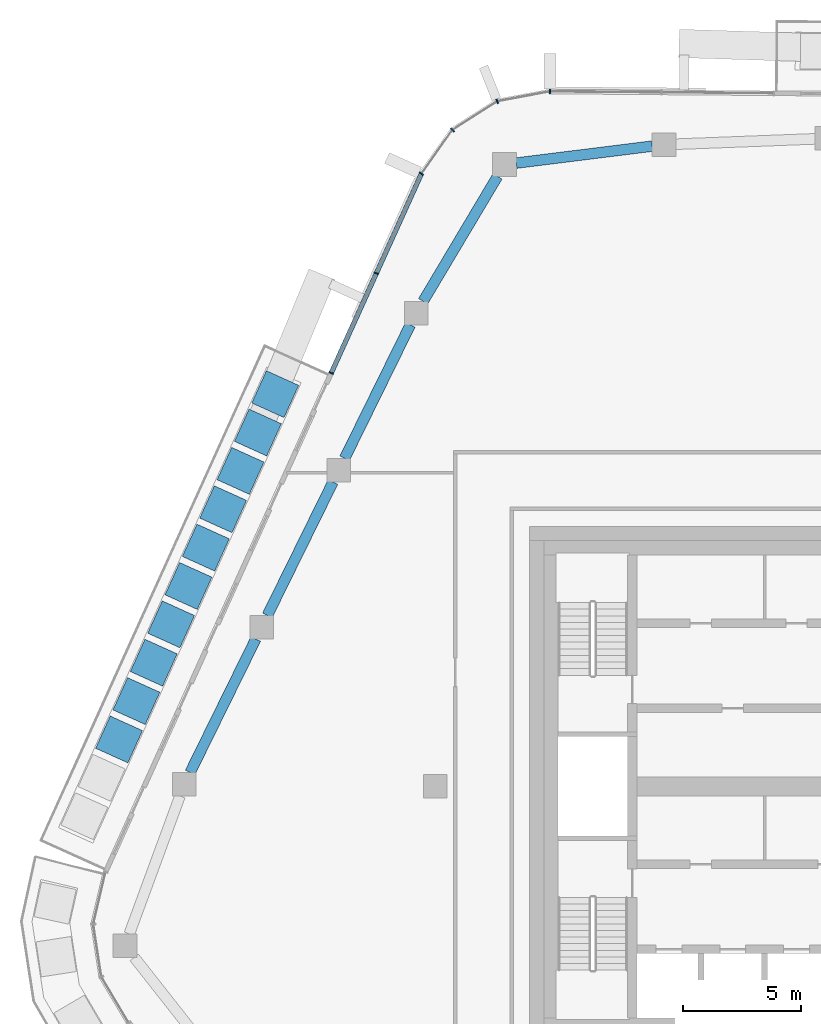
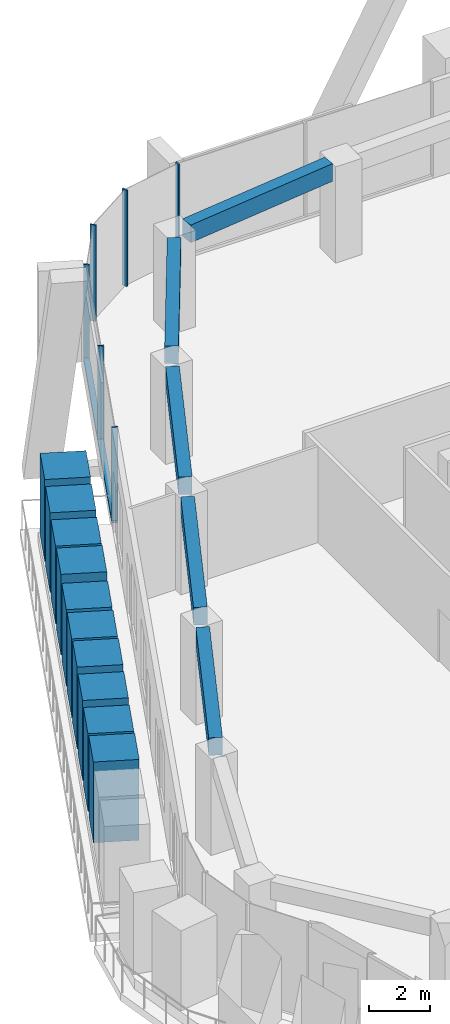
# One storey, part 6 of 23: 17 members, 5 beams, 3 elements without a shape of their own.
"""IFC4 building model written with IfcOpenShell, lengths in metres."""

from ifc_helpers import new_model, si_unit, direction, frame, origin, origin_2d, place, context, subcontext, project, spatial, rectangle, extrude, material, layer, layer_set, material_profile, profile_set, type_object, element, aggregate, save


model = new_model("IFC4")

# Units and contexts
model_context = context("Model", 3, precision=1e-05, world=origin(), true_north=direction((0.0, 1.0)))
body_context = subcontext(model_context, "Body", "Model", "MODEL_VIEW")
ifc_project = project(units=[si_unit("LENGTHUNIT", "METRE"), si_unit("AREAUNIT", "SQUARE_METRE"), si_unit("VOLUMEUNIT", "CUBIC_METRE"), si_unit("PLANEANGLEUNIT", "RADIAN"), si_unit("MASSUNIT", "GRAM", prefix="KILO")], contexts=[model_context])

# Site, building, storey
site_placement = place(None, origin())
site = spatial("IfcSite", under=ifc_project, at=site_placement, CompositionType="ELEMENT")
building_placement = place(site_placement, origin())
building = spatial("IfcBuilding", under=site, at=building_placement, Name="Dongbaek Canopy Tower", CompositionType="ELEMENT")
storey_placement = place(building_placement, frame((0.0, 0.0, 327.800048828125)))
storey = spatial("IfcBuildingStorey", under=building, at=storey_placement, Name="L70", CompositionType="ELEMENT", Elevation=327.800048828125)

# Curtain wall, member
ifc_material_1 = material(Name="Aluminium 6063-T6 pale anodised", Category="aluminium")
ifc_layer = layer(ifc_material_1, 0.199951171875)
ifc_layer_set = layer_set([ifc_layer], Name="CW-1 unitised tower curtain wall")
curtain_wall_type = type_object("IfcCurtainWallType", Name="CW-1 unitised tower curtain wall", PredefinedType="NOTDEFINED", material=ifc_layer_set)
curtain_wall_1_placement = place(storey_placement, origin())
curtain_wall_1 = element("IfcCurtainWall", 1, at=curtain_wall_1_placement, inside=storey, type_object=curtain_wall_type, Name="CW-1 curtain wall F1.1", PredefinedType="NOTDEFINED")
ifc_material_2 = material(Name="Aluminium 6063-T6 pale anodised", Category="aluminium")
ifc_material_profile_1 = material_profile(ifc_material_2, rectangle(XDim=0.199951171875, YDim=0.06005859375, at=origin_2d()), Name="CW-1 mullion 60 x 200")
ifc_profile_set_1 = profile_set([ifc_material_profile_1], Name="Aluminium 6063-T6 pale anodised")
member_type_1 = type_object("IfcMemberType", Name="CW-1 mullion 60 x 200", PredefinedType="MULLION", material=ifc_profile_set_1)
member_1_placement = place(storey_placement, frame((-13.144775390625, 29.4150390625, 0.119873046875), z_axis=(0.0, 0.0, 1.0), x_axis=(0.007781807363, 0.999969721279, 0.0)))
member_1 = element("IfcMember", 2, at=member_1_placement, type_object=member_type_1, Name="CW-1 mullion F1.1.3", PredefinedType="MULLION", context=body_context, shape_type="SweptSolid", body=[
    extrude(rectangle(XDim=0.199951171875, YDim=0.06005859375, at=origin_2d()), origin(), (0.0, 0.0, 1.0), 3.7001953125),
])
aggregate(curtain_wall_1, [member_1])

# Curtain wall, members
curtain_wall_2_placement = place(storey_placement, origin())
curtain_wall_2 = element("IfcCurtainWall", 3, at=curtain_wall_2_placement, inside=storey, type_object=curtain_wall_type, Name="CW-1 curtain wall K2.1", PredefinedType="NOTDEFINED")
member_2_placement = place(storey_placement, frame((-15.37060546875, 28.99951171875, 0.0), z_axis=(0.0, 0.0, 1.0), x_axis=(-0.367962491797, 0.929840633996, 0.0)))
member_2 = element("IfcMember", 4, at=member_2_placement, type_object=member_type_1, Name="CW-1 mullion K2.1.2", PredefinedType="MULLION", context=body_context, shape_type="SweptSolid", body=[
    extrude(rectangle(XDim=0.199951171875, YDim=0.06005859375, at=origin_2d()), origin(), (0.0, 0.0, 1.0), 3.820068359375),
])
member_3_placement = place(storey_placement, frame((-17.269775390625, 27.78466796875, 0.0), z_axis=(0.0, 0.0, 1.0), x_axis=(-0.689946783833, 0.723860093857, 0.0)))
member_3 = element("IfcMember", 5, at=member_3_placement, type_object=member_type_1, Name="CW-1 mullion K2.1.3", PredefinedType="MULLION", context=body_context, shape_type="SweptSolid", body=[
    extrude(rectangle(XDim=0.199951171875, YDim=0.06005859375, at=origin_2d()), origin(), (0.0, 0.0, 1.0), 3.820068359375),
])
member_4_placement = place(storey_placement, frame((-18.580078125, 25.93798828125, 0.0), z_axis=(0.0, 0.0, 1.0), x_axis=(-0.815570774444, 0.578657335452, 0.0)))
member_4 = element("IfcMember", 6, at=member_4_placement, type_object=member_type_1, Name="CW-1 mullion K2.1.4", PredefinedType="MULLION", context=body_context, shape_type="SweptSolid", body=[
    extrude(rectangle(XDim=0.199951171875, YDim=0.06005859375, at=origin_2d()), origin(), (0.0, 0.0, 1.0), 3.820068359375),
])
aggregate(curtain_wall_2, [member_2, member_3, member_4])

curtain_wall_3_placement = place(storey_placement, origin())
curtain_wall_3 = element("IfcCurtainWall", 7, at=curtain_wall_3_placement, inside=storey, type_object=curtain_wall_type, Name="CW-1 curtain wall F2.1", PredefinedType="NOTDEFINED")
member_5_placement = place(storey_placement, frame((-20.487548828125, 21.720947265625, 0.119873046875), z_axis=(0.0, 0.0, 1.0), x_axis=(-0.911128562459, 0.412122242389, 0.0)))
member_5 = element("IfcMember", 8, at=member_5_placement, type_object=member_type_1, Name="CW-1 mullion F2.1.2", PredefinedType="MULLION", context=body_context, shape_type="SweptSolid", body=[
    extrude(rectangle(XDim=0.199951171875, YDim=0.06005859375, at=origin_2d()), origin(), (0.0, 0.0, 1.0), 3.7001953125),
])
member_6_placement = place(storey_placement, frame((-22.39892578125, 17.4951171875, 0.119873046875), z_axis=(0.0, 0.0, 1.0), x_axis=(-0.911128562459, 0.412122242389, 0.0)))
member_6 = element("IfcMember", 9, at=member_6_placement, type_object=member_type_1, Name="CW-1 mullion F2.1.3", PredefinedType="MULLION", context=body_context, shape_type="SweptSolid", body=[
    extrude(rectangle(XDim=0.199951171875, YDim=0.06005859375, at=origin_2d()), origin(), (0.0, 0.0, 1.0), 3.7001953125),
])
ifc_material_3 = material(Name="Aluminium 6063-T6 pale anodised", Category="aluminium")
ifc_material_profile_2 = material_profile(ifc_material_3, rectangle(XDim=0.199951171875, YDim=0.1201171875, at=origin_2d()), Name="CW-1 transom 120 x 200")
ifc_profile_set_2 = profile_set([ifc_material_profile_2], Name="Aluminium 6063-T6 pale anodised")
member_type_2 = type_object("IfcMemberType", Name="CW-1 transom 120 x 200", PredefinedType="USERDEFINED", material=ifc_profile_set_2)
member_7_placement = place(storey_placement, frame((-18.580078125, 25.93798828125, 0.06005859375), z_axis=(-0.412118919736, -0.911130065356, 0.0), x_axis=(0.911130065356, -0.412118919736, 0.0)))
member_7 = element("IfcMember", 10, at=member_7_placement, type_object=member_type_2, Name="CW-1 transom F2.1.1", ObjectType="TRANSOM", PredefinedType="USERDEFINED", context=body_context, shape_type="SweptSolid", body=[
    extrude(rectangle(XDim=0.199951171875, YDim=0.1201171875, at=origin_2d()), origin(), (0.0, 0.0, 1.0), 9.266357421875),
])
aggregate(curtain_wall_3, [member_5, member_6, member_7])

# Beams
ifc_material_4 = material(Name="Concrete C60", Category="concrete")
ifc_material_profile_3 = material_profile(ifc_material_4, rectangle(XDim=0.449951171875, YDim=0.699951171875, at=origin_2d()), Name="RC EDGE BEAM 450x700 C60")
ifc_profile_set_3 = profile_set([ifc_material_profile_3], Name="Concrete C60")
beam_type = type_object("IfcBeamType", Name="RC EDGE BEAM 450x700 C60", PredefinedType="BEAM", material=ifc_profile_set_3)
for number, where, z_axis, x_axis, name in (
    (11, (-28.37109375, 0.5859375, 3.469970703125), (0.441293546446, 0.897362806152, 0.0), (-0.897362806152, 0.441293546446, 0.0), "EDGEBEAM:L70:09"),
    (12, (-25.10107421875, 7.235107421875, 3.469970703125), (0.441433810223, 0.897293815421, 0.0), (-0.897293815421, 0.441433810223, 0.0), "EDGEBEAM:L70:10"),
):
    element("IfcBeam", number, at=place(storey_placement, frame(where, z_axis=z_axis, x_axis=x_axis)), inside=storey, type_object=beam_type, Name=name, PredefinedType="BEAM", context=body_context, shape_type="SweptSolid", body=[
        extrude(rectangle(XDim=0.449951171875, YDim=0.699951171875, at=origin_2d()), origin(), (0.0, 0.0, 1.0), 6.29541015625),
    ])
beam_1_placement = place(storey_placement, frame((-21.830078125, 13.884033203125, 3.469970703125), z_axis=(0.441370345445, 0.897325034846, 0.0), x_axis=(-0.897325034846, 0.441370345445, 0.0)))
element("IfcBeam", 13, at=beam_1_placement, inside=storey, type_object=beam_type, Name="EDGEBEAM:L70:11", PredefinedType="BEAM", context=body_context, shape_type="SweptSolid", body=[
    extrude(rectangle(XDim=0.449951171875, YDim=0.699951171875, at=origin_2d()), origin(), (0.0, 0.0, 1.0), 6.294189453125),
])
beam_2_placement = place(storey_placement, frame((-18.50830078125, 20.531982421875, 3.469970703125), z_axis=(0.511535459107, 0.859262168419, 0.0), x_axis=(-0.859262168419, 0.511535459107, 0.0)))
element("IfcBeam", 14, at=beam_2_placement, inside=storey, type_object=beam_type, Name="EDGEBEAM:L70:12", PredefinedType="BEAM", context=body_context, shape_type="SweptSolid", body=[
    extrude(rectangle(XDim=0.449951171875, YDim=0.699951171875, at=origin_2d()), origin(), (0.0, 0.0, 1.0), 6.1552734375),
])
beam_3_placement = place(storey_placement, frame((-14.56201171875, 26.38330078125, 3.469970703125), z_axis=(0.992296006086, 0.123889613389, 0.0), x_axis=(-0.123889613389, 0.992296006086, 0.0)))
element("IfcBeam", 15, at=beam_3_placement, inside=storey, type_object=beam_type, Name="EDGEBEAM:L70:13", PredefinedType="BEAM", context=body_context, shape_type="SweptSolid", body=[
    extrude(rectangle(XDim=0.449951171875, YDim=0.699951171875, at=origin_2d()), origin(), (0.0, 0.0, 1.0), 5.797607421875),
])

# Members
ifc_material_5 = material(Name="Concrete C40/50 planter mass with planting", Category="concrete")
ifc_material_profile_4 = material_profile(ifc_material_5, rectangle(XDim=1.5, YDim=1.5, at=origin_2d()), Name="Terrace PLANTER shrub mass 1500 x 1500")
ifc_profile_set_4 = profile_set([ifc_material_profile_4], Name="Concrete C40/50 planter mass with planting")
member_type_3 = type_object("IfcMemberType", Name="Terrace PLANTER shrub mass 1500 x 1500", PredefinedType="USERDEFINED", material=ifc_profile_set_4)
member_8_placement = place(storey_placement, frame((-24.76806640625, 16.6005859375, 0.419921875), z_axis=(0.0, 0.0, 1.0), x_axis=(-0.911128562459, 0.412122242389, 0.0)))
element("IfcMember", 16, at=member_8_placement, inside=storey, type_object=member_type_3, Name="Planter shrubs L70 2.1", ObjectType="PLANTER", PredefinedType="USERDEFINED", context=body_context, shape_type="SweptSolid", body=[
    extrude(rectangle(XDim=1.5, YDim=1.5, at=origin_2d()), origin(), (0.0, 0.0, 1.0), 3.25),
])
member_9_placement = place(storey_placement, frame((-25.502685546875, 14.9765625, 0.419921875), z_axis=(0.0, 0.0, 1.0), x_axis=(-0.911128562459, 0.412122242389, 0.0)))
element("IfcMember", 17, at=member_9_placement, inside=storey, type_object=member_type_3, Name="Planter shrubs L70 2.2", ObjectType="PLANTER", PredefinedType="USERDEFINED", context=body_context, shape_type="SweptSolid", body=[
    extrude(rectangle(XDim=1.5, YDim=1.5, at=origin_2d()), origin(), (0.0, 0.0, 1.0), 3.169921875),
])
member_10_placement = place(storey_placement, frame((-26.2373046875, 13.3525390625, 0.419921875), z_axis=(0.0, 0.0, 1.0), x_axis=(-0.911128562459, 0.412122242389, 0.0)))
element("IfcMember", 18, at=member_10_placement, inside=storey, type_object=member_type_3, Name="Planter shrubs L70 2.3", ObjectType="PLANTER", PredefinedType="USERDEFINED", context=body_context, shape_type="SweptSolid", body=[
    extrude(rectangle(XDim=1.5, YDim=1.5, at=origin_2d()), origin(), (0.0, 0.0, 1.0), 3.090087890625),
])
member_11_placement = place(storey_placement, frame((-26.971923828125, 11.728515625, 0.419921875), z_axis=(0.0, 0.0, 1.0), x_axis=(-0.911128562459, 0.412122242389, 0.0)))
element("IfcMember", 19, at=member_11_placement, inside=storey, type_object=member_type_3, Name="Planter shrubs L70 2.4", ObjectType="PLANTER", PredefinedType="USERDEFINED", context=body_context, shape_type="SweptSolid", body=[
    extrude(rectangle(XDim=1.5, YDim=1.5, at=origin_2d()), origin(), (0.0, 0.0, 1.0), 3.2099609375),
])
member_12_placement = place(storey_placement, frame((-27.70654296875, 10.104248046875, 0.419921875), z_axis=(0.0, 0.0, 1.0), x_axis=(-0.911128562459, 0.412122242389, 0.0)))
element("IfcMember", 20, at=member_12_placement, inside=storey, type_object=member_type_3, Name="Planter shrubs L70 2.5", ObjectType="PLANTER", PredefinedType="USERDEFINED", context=body_context, shape_type="SweptSolid", body=[
    extrude(rectangle(XDim=1.5, YDim=1.5, at=origin_2d()), origin(), (0.0, 0.0, 1.0), 3.050048828125),
])
member_13_placement = place(storey_placement, frame((-28.441162109375, 8.480224609375, 0.419921875), z_axis=(0.0, 0.0, 1.0), x_axis=(-0.911128562459, 0.412122242389, 0.0)))
element("IfcMember", 21, at=member_13_placement, inside=storey, type_object=member_type_3, Name="Planter shrubs L70 2.6", ObjectType="PLANTER", PredefinedType="USERDEFINED", context=body_context, shape_type="SweptSolid", body=[
    extrude(rectangle(XDim=1.5, YDim=1.5, at=origin_2d()), origin(), (0.0, 0.0, 1.0), 3.130126953125),
])
member_14_placement = place(storey_placement, frame((-29.17578125, 6.856201171875, 0.419921875), z_axis=(0.0, 0.0, 1.0), x_axis=(-0.911128562459, 0.412122242389, 0.0)))
element("IfcMember", 22, at=member_14_placement, inside=storey, type_object=member_type_3, Name="Planter shrubs L70 2.7", ObjectType="PLANTER", PredefinedType="USERDEFINED", context=body_context, shape_type="SweptSolid", body=[
    extrude(rectangle(XDim=1.5, YDim=1.5, at=origin_2d()), origin(), (0.0, 0.0, 1.0), 3.25),
])
member_15_placement = place(storey_placement, frame((-29.910400390625, 5.23193359375, 0.419921875), z_axis=(0.0, 0.0, 1.0), x_axis=(-0.911128562459, 0.412122242389, 0.0)))
element("IfcMember", 23, at=member_15_placement, inside=storey, type_object=member_type_3, Name="Planter shrubs L70 2.8", ObjectType="PLANTER", PredefinedType="USERDEFINED", context=body_context, shape_type="SweptSolid", body=[
    extrude(rectangle(XDim=1.5, YDim=1.5, at=origin_2d()), origin(), (0.0, 0.0, 1.0), 3.169921875),
])
member_16_placement = place(storey_placement, frame((-30.64501953125, 3.60791015625, 0.419921875), z_axis=(0.0, 0.0, 1.0), x_axis=(-0.911128562459, 0.412122242389, 0.0)))
element("IfcMember", 24, at=member_16_placement, inside=storey, type_object=member_type_3, Name="Planter shrubs L70 2.9", ObjectType="PLANTER", PredefinedType="USERDEFINED", context=body_context, shape_type="SweptSolid", body=[
    extrude(rectangle(XDim=1.5, YDim=1.5, at=origin_2d()), origin(), (0.0, 0.0, 1.0), 3.090087890625),
])
member_17_placement = place(storey_placement, frame((-31.379638671875, 1.98388671875, 0.419921875), z_axis=(0.0, 0.0, 1.0), x_axis=(-0.911128562459, 0.412122242389, 0.0)))
element("IfcMember", 25, at=member_17_placement, inside=storey, type_object=member_type_3, Name="Planter shrubs L70 2.10", ObjectType="PLANTER", PredefinedType="USERDEFINED", context=body_context, shape_type="SweptSolid", body=[
    extrude(rectangle(XDim=1.5, YDim=1.5, at=origin_2d()), origin(), (0.0, 0.0, 1.0), 3.2099609375),
])

save(model, "model.ifc")
